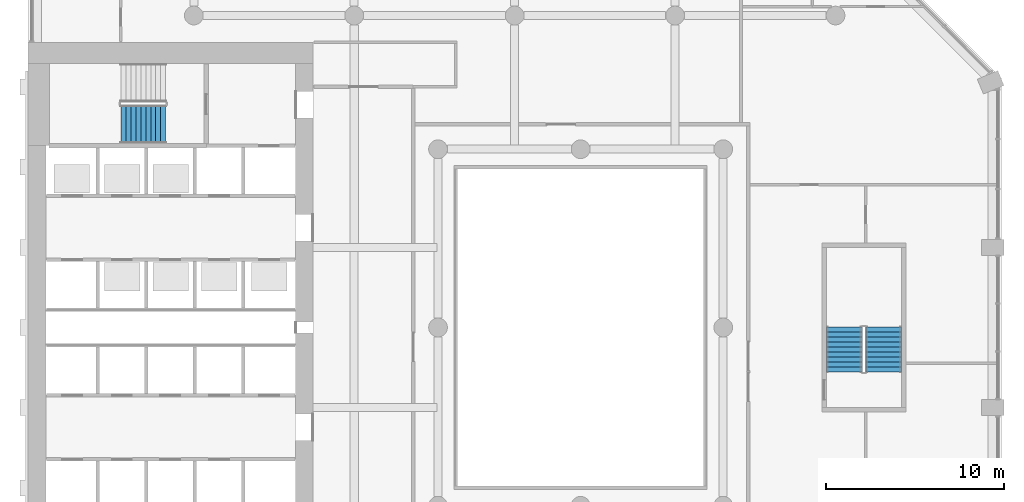
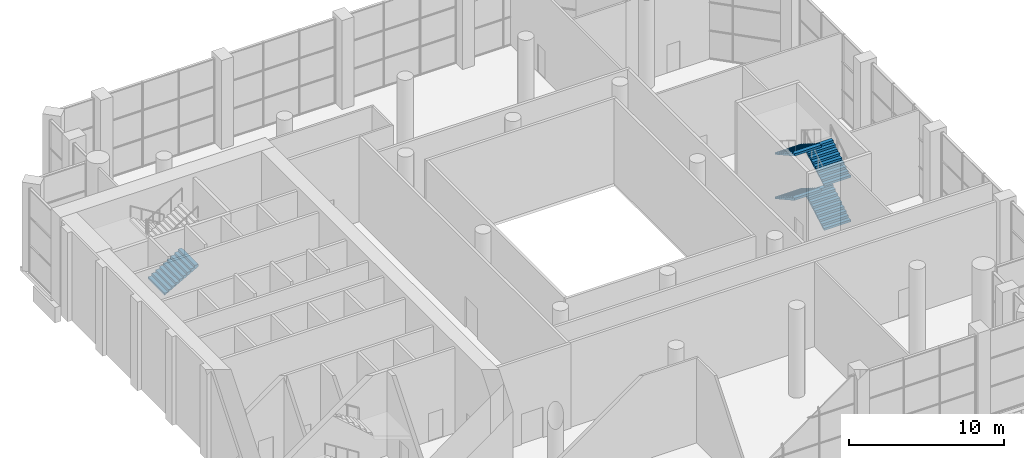
# One storey, part 16 of 22: 5 stair flights, 2 elements without a shape of their own.
"""IFC4 building model written with IfcOpenShell, lengths in metres."""

from ifc_helpers import new_model, si_unit, direction, frame, origin, place, context, subcontext, project, spatial, triangles, material, type_object, element, aggregate, save


model = new_model("IFC4")

# Units and contexts
model_context = context("Model", 3, precision=1e-05, world=origin(), true_north=direction((0.0, 1.0)))
body_context = subcontext(model_context, "Body", "Model", "MODEL_VIEW")
ifc_project = project(units=[si_unit("LENGTHUNIT", "METRE"), si_unit("AREAUNIT", "SQUARE_METRE"), si_unit("VOLUMEUNIT", "CUBIC_METRE"), si_unit("PLANEANGLEUNIT", "RADIAN"), si_unit("MASSUNIT", "GRAM", prefix="KILO")], contexts=[model_context])

# Site, building, storey
site_placement = place(None, origin())
site = spatial("IfcSite", under=ifc_project, at=site_placement, CompositionType="ELEMENT")
building_placement = place(site_placement, origin())
building = spatial("IfcBuilding", under=site, at=building_placement, Name="Cypress Arch Tower", CompositionType="ELEMENT")
storey_placement = place(building_placement, frame((0.0, 0.0, 145.5)))
storey = spatial("IfcBuildingStorey", under=building, at=storey_placement, Name="L32", CompositionType="ELEMENT", Elevation=145.5)

# Stair, stair flights
ifc_material_1 = material(Name="Concrete C40/50", Category="concrete")
stair_type_1 = type_object("IfcStairType", Name="Exit stair ES1750-200", PredefinedType="HALF_TURN_STAIR", material=ifc_material_1)
stair_1_placement = place(storey_placement, origin())
stair_1 = element("IfcStair", 1, at=stair_1_placement, inside=storey, type_object=stair_type_1, Name="L32 Exit stair C", PredefinedType="HALF_TURN_STAIR")
ifc_material_2 = material(Name="Concrete C40/50", Category="concrete")
stair_flight_type_1 = type_object("IfcStairFlightType", Name="Exit stair flight ES1750-200", PredefinedType="STRAIGHT", material=ifc_material_2)
stair_flight_1_placement = place(storey_placement, frame((18.0, -2.5, 0.0), z_axis=(0.0, 0.0, 1.0), x_axis=(0.0, 1.0, 0.0)))
stair_flight_1 = element("IfcStairFlight", 2, at=stair_flight_1_placement, type_object=stair_flight_type_1, Name="C flight 1", NumberOfRisers=10, NumberOfTreads=9, PredefinedType="STRAIGHT", RiserHeight=0.175, TreadLength=0.28, context=body_context, shape_type="Tessellation", body=[
    triangles([(0.0, -1.0, 0.0), (0.000244140625, -1.0, 0.034912109375), (0.00048828125, -1.0, 0.070068359375), (0.00048828125, -1.0, 0.10498046875), (0.000244140625, -1.0, 0.14013671875), (0.0, -1.0, 0.175048828125), (0.280029296875, -1.0, 0.175048828125), (0.280029296875, -1.0, 0.35009765625), (0.56005859375, -1.0, 0.35009765625), (0.56005859375, -1.0, 0.52490234375), (0.840087890625, -1.0, 0.52490234375), (0.840087890625, -1.0, 0.699951171875), (1.1201171875, -1.0, 0.699951171875), (1.1201171875, -1.0, 0.875), (1.39990234375, -1.0, 0.875), (1.39990234375, -1.0, 1.050048828125), (1.679931640625, -1.0, 1.050048828125), (1.679931640625, -1.0, 1.22509765625), (1.9599609375, -1.0, 1.22509765625), (1.9599609375, -1.0, 1.39990234375), (2.239990234375, -1.0, 1.39990234375), (2.239990234375, -1.0, 1.574951171875), (2.52001953125, -1.0, 1.574951171875), (2.519775390625, -1.0, 1.53955078125), (2.51953125, -1.0, 1.504150390625), (2.51953125, -1.0, 1.468994140625), (2.519775390625, -1.0, 1.43359375), (2.52001953125, -1.0, 1.398193359375), (2.52001953125, 1.0, 1.398193359375), (2.519775390625, 1.0, 1.43359375), (2.51953125, 1.0, 1.468994140625), (2.51953125, 1.0, 1.504150390625), (2.519775390625, 1.0, 1.53955078125), (2.52001953125, 1.0, 1.574951171875), (2.239990234375, 1.0, 1.574951171875), (2.239990234375, 1.0, 1.39990234375), (1.9599609375, 1.0, 1.39990234375), (1.9599609375, 1.0, 1.22509765625), (1.679931640625, 1.0, 1.22509765625), (1.679931640625, 1.0, 1.050048828125), (1.39990234375, 1.0, 1.050048828125), (1.39990234375, 1.0, 0.875), (1.1201171875, 1.0, 0.875), (1.1201171875, 1.0, 0.699951171875), (0.840087890625, 1.0, 0.699951171875), (0.840087890625, 1.0, 0.52490234375), (0.56005859375, 1.0, 0.52490234375), (0.56005859375, 1.0, 0.35009765625), (0.280029296875, 1.0, 0.35009765625), (0.280029296875, 1.0, 0.175048828125), (0.0, 1.0, 0.175048828125), (0.000244140625, 1.0, 0.14013671875), (0.00048828125, 1.0, 0.10498046875), (0.00048828125, 1.0, 0.070068359375), (0.000244140625, 1.0, 0.034912109375), (0.0, 1.0, 0.0), (2.519775390625, 0.0, 1.43359375), (2.52001953125, 0.0, 1.398193359375), (2.51953125, 0.0, 1.468994140625), (2.51953125, 0.0, 1.504150390625), (2.519775390625, 0.0, 1.53955078125), (2.52001953125, 0.0, 1.574951171875), (2.239990234375, 0.0, 1.574951171875), (2.239990234375, 0.0, 1.39990234375), (1.9599609375, 0.0, 1.39990234375), (1.9599609375, 0.0, 1.22509765625), (1.679931640625, 0.0, 1.22509765625), (1.679931640625, 0.0, 1.050048828125), (1.39990234375, 0.0, 1.050048828125), (1.39990234375, 0.0, 0.875), (1.1201171875, 0.0, 0.875), (1.1201171875, 0.0, 0.699951171875), (0.840087890625, 0.0, 0.699951171875), (0.840087890625, 0.0, 0.52490234375), (0.56005859375, 0.0, 0.52490234375), (0.56005859375, 0.0, 0.35009765625), (0.280029296875, 0.0, 0.35009765625), (0.280029296875, 0.0, 0.175048828125), (0.0, 0.0, 0.175048828125), (0.000244140625, 0.0, 0.14013671875), (0.00048828125, 0.0, 0.10498046875), (0.00048828125, 0.0, 0.070068359375), (0.000244140625, 0.0, 0.034912109375), (0.0, 0.0, 0.0)], [[28, 27, 22], [27, 26, 22], [26, 25, 22], [25, 24, 22], [24, 23, 22], [15, 14, 13], [19, 18, 17], [17, 16, 15], [13, 12, 11], [9, 8, 7], [6, 5, 7], [5, 4, 7], [4, 3, 7], [3, 2, 7], [2, 1, 7], [21, 20, 19], [11, 10, 9], [28, 22, 21], [28, 21, 19], [28, 19, 17], [28, 17, 15], [28, 15, 13], [28, 13, 11], [1, 28, 11], [11, 9, 7], [11, 7, 1], [29, 35, 30], [30, 35, 31], [31, 35, 32], [32, 35, 33], [33, 35, 34], [42, 44, 43], [38, 40, 39], [40, 42, 41], [44, 46, 45], [48, 50, 49], [51, 50, 52], [52, 50, 53], [53, 50, 54], [54, 50, 55], [55, 50, 56], [36, 38, 37], [46, 48, 47], [29, 36, 35], [29, 38, 36], [29, 40, 38], [29, 42, 40], [29, 44, 42], [29, 46, 44], [56, 46, 29], [46, 50, 48], [46, 56, 50], [58, 57, 27], [58, 27, 28], [29, 30, 57], [29, 57, 58], [57, 59, 26], [57, 26, 27], [30, 31, 59], [30, 59, 57], [59, 60, 25], [59, 25, 26], [31, 32, 60], [31, 60, 59], [60, 61, 24], [60, 24, 25], [32, 33, 61], [32, 61, 60], [61, 62, 23], [61, 23, 24], [33, 34, 62], [33, 62, 61], [62, 63, 22], [62, 22, 23], [34, 35, 63], [34, 63, 62], [63, 64, 21], [63, 21, 22], [35, 36, 64], [35, 64, 63], [64, 65, 20], [64, 20, 21], [36, 37, 65], [36, 65, 64], [65, 66, 19], [65, 19, 20], [37, 38, 66], [37, 66, 65], [66, 67, 18], [66, 18, 19], [38, 39, 67], [38, 67, 66], [67, 68, 17], [67, 17, 18], [39, 40, 68], [39, 68, 67], [68, 69, 16], [68, 16, 17], [40, 41, 69], [40, 69, 68], [69, 70, 15], [69, 15, 16], [41, 42, 70], [41, 70, 69], [70, 71, 14], [70, 14, 15], [42, 43, 71], [42, 71, 70], [71, 72, 13], [71, 13, 14], [43, 44, 72], [43, 72, 71], [72, 73, 12], [72, 12, 13], [44, 45, 73], [44, 73, 72], [73, 74, 11], [73, 11, 12], [45, 46, 74], [45, 74, 73], [74, 75, 10], [74, 10, 11], [46, 47, 75], [46, 75, 74], [75, 76, 9], [75, 9, 10], [47, 48, 76], [47, 76, 75], [76, 77, 8], [76, 8, 9], [48, 49, 77], [48, 77, 76], [77, 78, 7], [77, 7, 8], [49, 50, 78], [49, 78, 77], [78, 79, 6], [78, 6, 7], [50, 51, 79], [50, 79, 78], [79, 80, 5], [79, 5, 6], [51, 52, 80], [51, 80, 79], [80, 81, 4], [80, 4, 5], [52, 53, 81], [52, 81, 80], [81, 82, 3], [81, 3, 4], [53, 54, 82], [53, 82, 81], [82, 83, 2], [82, 2, 3], [54, 55, 83], [54, 83, 82], [83, 84, 1], [83, 1, 2], [55, 56, 84], [55, 84, 83], [84, 58, 28], [84, 28, 1], [56, 29, 58], [56, 58, 84]], closed=True),
])
stair_flight_2_placement = place(storey_placement, frame((15.800048828125, 0.02001953125, 1.75), z_axis=(0.0, 0.0, 1.0), x_axis=(0.0, -1.0, 0.0)))
stair_flight_2 = element("IfcStairFlight", 3, at=stair_flight_2_placement, type_object=stair_flight_type_1, Name="C flight 2", NumberOfRisers=10, NumberOfTreads=9, PredefinedType="STRAIGHT", RiserHeight=0.175, TreadLength=0.28, context=body_context, shape_type="Tessellation", body=[
    triangles([(0.0, -1.0, 0.0), (0.000244140625, -1.0, 0.034912109375), (0.00048828125, -1.0, 0.070068359375), (0.00048828125, -1.0, 0.10498046875), (0.000244140625, -1.0, 0.14013671875), (0.0, -1.0, 0.175048828125), (0.280029296875, -1.0, 0.175048828125), (0.280029296875, -1.0, 0.35009765625), (0.56005859375, -1.0, 0.35009765625), (0.56005859375, -1.0, 0.52490234375), (0.840087890625, -1.0, 0.52490234375), (0.840087890625, -1.0, 0.699951171875), (1.1201171875, -1.0, 0.699951171875), (1.1201171875, -1.0, 0.875), (1.39990234375, -1.0, 0.875), (1.39990234375, -1.0, 1.050048828125), (1.679931640625, -1.0, 1.050048828125), (1.679931640625, -1.0, 1.22509765625), (1.9599609375, -1.0, 1.22509765625), (1.9599609375, -1.0, 1.39990234375), (2.239990234375, -1.0, 1.39990234375), (2.239990234375, -1.0, 1.574951171875), (2.52001953125, -1.0, 1.574951171875), (2.519775390625, -1.0, 1.53955078125), (2.51953125, -1.0, 1.504150390625), (2.51953125, -1.0, 1.468994140625), (2.519775390625, -1.0, 1.43359375), (2.52001953125, -1.0, 1.398193359375), (2.52001953125, 1.0, 1.398193359375), (2.519775390625, 1.0, 1.43359375), (2.51953125, 1.0, 1.468994140625), (2.51953125, 1.0, 1.504150390625), (2.519775390625, 1.0, 1.53955078125), (2.52001953125, 1.0, 1.574951171875), (2.239990234375, 1.0, 1.574951171875), (2.239990234375, 1.0, 1.39990234375), (1.9599609375, 1.0, 1.39990234375), (1.9599609375, 1.0, 1.22509765625), (1.679931640625, 1.0, 1.22509765625), (1.679931640625, 1.0, 1.050048828125), (1.39990234375, 1.0, 1.050048828125), (1.39990234375, 1.0, 0.875), (1.1201171875, 1.0, 0.875), (1.1201171875, 1.0, 0.699951171875), (0.840087890625, 1.0, 0.699951171875), (0.840087890625, 1.0, 0.52490234375), (0.56005859375, 1.0, 0.52490234375), (0.56005859375, 1.0, 0.35009765625), (0.280029296875, 1.0, 0.35009765625), (0.280029296875, 1.0, 0.175048828125), (0.0, 1.0, 0.175048828125), (0.000244140625, 1.0, 0.14013671875), (0.00048828125, 1.0, 0.10498046875), (0.00048828125, 1.0, 0.070068359375), (0.000244140625, 1.0, 0.034912109375), (0.0, 1.0, 0.0), (2.519775390625, 0.0, 1.43359375), (2.52001953125, 0.0, 1.398193359375), (2.51953125, 0.0, 1.468994140625), (2.51953125, 0.0, 1.504150390625), (2.519775390625, 0.0, 1.53955078125), (2.52001953125, 0.0, 1.574951171875), (2.239990234375, 0.0, 1.574951171875), (2.239990234375, 0.0, 1.39990234375), (1.9599609375, 0.0, 1.39990234375), (1.9599609375, 0.0, 1.22509765625), (1.679931640625, 0.0, 1.22509765625), (1.679931640625, 0.0, 1.050048828125), (1.39990234375, 0.0, 1.050048828125), (1.39990234375, 0.0, 0.875), (1.1201171875, 0.0, 0.875), (1.1201171875, 0.0, 0.699951171875), (0.840087890625, 0.0, 0.699951171875), (0.840087890625, 0.0, 0.52490234375), (0.56005859375, 0.0, 0.52490234375), (0.56005859375, 0.0, 0.35009765625), (0.280029296875, 0.0, 0.35009765625), (0.280029296875, 0.0, 0.175048828125), (0.0, 0.0, 0.175048828125), (0.000244140625, 0.0, 0.14013671875), (0.00048828125, 0.0, 0.10498046875), (0.00048828125, 0.0, 0.070068359375), (0.000244140625, 0.0, 0.034912109375), (0.0, 0.0, 0.0)], [[28, 27, 22], [27, 26, 22], [26, 25, 22], [25, 24, 22], [24, 23, 22], [15, 14, 13], [19, 18, 17], [17, 16, 15], [13, 12, 11], [9, 8, 7], [6, 5, 7], [5, 4, 7], [4, 3, 7], [3, 2, 7], [2, 1, 7], [21, 20, 19], [11, 10, 9], [28, 22, 21], [28, 21, 19], [28, 19, 17], [28, 17, 15], [28, 15, 13], [28, 13, 11], [1, 28, 11], [11, 9, 7], [11, 7, 1], [29, 35, 30], [30, 35, 31], [31, 35, 32], [32, 35, 33], [33, 35, 34], [42, 44, 43], [38, 40, 39], [40, 42, 41], [44, 46, 45], [48, 50, 49], [51, 50, 52], [52, 50, 53], [53, 50, 54], [54, 50, 55], [55, 50, 56], [36, 38, 37], [46, 48, 47], [29, 36, 35], [29, 38, 36], [29, 40, 38], [29, 42, 40], [29, 44, 42], [29, 46, 44], [56, 46, 29], [46, 50, 48], [46, 56, 50], [58, 57, 27], [58, 27, 28], [29, 30, 57], [29, 57, 58], [57, 59, 26], [57, 26, 27], [30, 31, 59], [30, 59, 57], [59, 60, 25], [59, 25, 26], [31, 32, 60], [31, 60, 59], [60, 61, 24], [60, 24, 25], [32, 33, 61], [32, 61, 60], [61, 62, 23], [61, 23, 24], [33, 34, 62], [33, 62, 61], [62, 63, 22], [62, 22, 23], [34, 35, 63], [34, 63, 62], [63, 64, 21], [63, 21, 22], [35, 36, 64], [35, 64, 63], [64, 65, 20], [64, 20, 21], [36, 37, 65], [36, 65, 64], [65, 66, 19], [65, 19, 20], [37, 38, 66], [37, 66, 65], [66, 67, 18], [66, 18, 19], [38, 39, 67], [38, 67, 66], [67, 68, 17], [67, 17, 18], [39, 40, 68], [39, 68, 67], [68, 69, 16], [68, 16, 17], [40, 41, 69], [40, 69, 68], [69, 70, 15], [69, 15, 16], [41, 42, 70], [41, 70, 69], [70, 71, 14], [70, 14, 15], [42, 43, 71], [42, 71, 70], [71, 72, 13], [71, 13, 14], [43, 44, 72], [43, 72, 71], [72, 73, 12], [72, 12, 13], [44, 45, 73], [44, 73, 72], [73, 74, 11], [73, 11, 12], [45, 46, 74], [45, 74, 73], [74, 75, 10], [74, 10, 11], [46, 47, 75], [46, 75, 74], [75, 76, 9], [75, 9, 10], [47, 48, 76], [47, 76, 75], [76, 77, 8], [76, 8, 9], [48, 49, 77], [48, 77, 76], [77, 78, 7], [77, 7, 8], [49, 50, 78], [49, 78, 77], [78, 79, 6], [78, 6, 7], [50, 51, 79], [50, 79, 78], [79, 80, 5], [79, 5, 6], [51, 52, 80], [51, 80, 79], [80, 81, 4], [80, 4, 5], [52, 53, 81], [52, 81, 80], [81, 82, 3], [81, 3, 4], [53, 54, 82], [53, 82, 81], [82, 83, 2], [82, 2, 3], [54, 55, 83], [54, 83, 82], [83, 84, 1], [83, 1, 2], [55, 56, 84], [55, 84, 83], [84, 58, 28], [84, 28, 1], [56, 29, 58], [56, 58, 84]], closed=True),
])
stair_flight_3_placement = place(storey_placement, frame((18.0, -2.5, 3.5), z_axis=(0.0, 0.0, 1.0), x_axis=(0.0, 1.0, 0.0)))
stair_flight_3 = element("IfcStairFlight", 4, at=stair_flight_3_placement, type_object=stair_flight_type_1, Name="C flight 3", NumberOfRisers=10, NumberOfTreads=9, PredefinedType="STRAIGHT", RiserHeight=0.175, TreadLength=0.28, context=body_context, shape_type="Tessellation", body=[
    triangles([(0.0, -1.0, 0.0), (0.000244140625, -1.0, 0.034912109375), (0.00048828125, -1.0, 0.070068359375), (0.00048828125, -1.0, 0.10498046875), (0.000244140625, -1.0, 0.14013671875), (0.0, -1.0, 0.175048828125), (0.280029296875, -1.0, 0.175048828125), (0.280029296875, -1.0, 0.35009765625), (0.56005859375, -1.0, 0.35009765625), (0.56005859375, -1.0, 0.52490234375), (0.840087890625, -1.0, 0.52490234375), (0.840087890625, -1.0, 0.699951171875), (1.1201171875, -1.0, 0.699951171875), (1.1201171875, -1.0, 0.875), (1.39990234375, -1.0, 0.875), (1.39990234375, -1.0, 1.050048828125), (1.679931640625, -1.0, 1.050048828125), (1.679931640625, -1.0, 1.22509765625), (1.9599609375, -1.0, 1.22509765625), (1.9599609375, -1.0, 1.39990234375), (2.239990234375, -1.0, 1.39990234375), (2.239990234375, -1.0, 1.574951171875), (2.52001953125, -1.0, 1.574951171875), (2.519775390625, -1.0, 1.53955078125), (2.51953125, -1.0, 1.504150390625), (2.51953125, -1.0, 1.468994140625), (2.519775390625, -1.0, 1.43359375), (2.52001953125, -1.0, 1.398193359375), (2.52001953125, 1.0, 1.398193359375), (2.519775390625, 1.0, 1.43359375), (2.51953125, 1.0, 1.468994140625), (2.51953125, 1.0, 1.504150390625), (2.519775390625, 1.0, 1.53955078125), (2.52001953125, 1.0, 1.574951171875), (2.239990234375, 1.0, 1.574951171875), (2.239990234375, 1.0, 1.39990234375), (1.9599609375, 1.0, 1.39990234375), (1.9599609375, 1.0, 1.22509765625), (1.679931640625, 1.0, 1.22509765625), (1.679931640625, 1.0, 1.050048828125), (1.39990234375, 1.0, 1.050048828125), (1.39990234375, 1.0, 0.875), (1.1201171875, 1.0, 0.875), (1.1201171875, 1.0, 0.699951171875), (0.840087890625, 1.0, 0.699951171875), (0.840087890625, 1.0, 0.52490234375), (0.56005859375, 1.0, 0.52490234375), (0.56005859375, 1.0, 0.35009765625), (0.280029296875, 1.0, 0.35009765625), (0.280029296875, 1.0, 0.175048828125), (0.0, 1.0, 0.175048828125), (0.000244140625, 1.0, 0.14013671875), (0.00048828125, 1.0, 0.10498046875), (0.00048828125, 1.0, 0.070068359375), (0.000244140625, 1.0, 0.034912109375), (0.0, 1.0, 0.0), (2.519775390625, 0.0, 1.43359375), (2.52001953125, 0.0, 1.398193359375), (2.51953125, 0.0, 1.468994140625), (2.51953125, 0.0, 1.504150390625), (2.519775390625, 0.0, 1.53955078125), (2.52001953125, 0.0, 1.574951171875), (2.239990234375, 0.0, 1.574951171875), (2.239990234375, 0.0, 1.39990234375), (1.9599609375, 0.0, 1.39990234375), (1.9599609375, 0.0, 1.22509765625), (1.679931640625, 0.0, 1.22509765625), (1.679931640625, 0.0, 1.050048828125), (1.39990234375, 0.0, 1.050048828125), (1.39990234375, 0.0, 0.875), (1.1201171875, 0.0, 0.875), (1.1201171875, 0.0, 0.699951171875), (0.840087890625, 0.0, 0.699951171875), (0.840087890625, 0.0, 0.52490234375), (0.56005859375, 0.0, 0.52490234375), (0.56005859375, 0.0, 0.35009765625), (0.280029296875, 0.0, 0.35009765625), (0.280029296875, 0.0, 0.175048828125), (0.0, 0.0, 0.175048828125), (0.000244140625, 0.0, 0.14013671875), (0.00048828125, 0.0, 0.10498046875), (0.00048828125, 0.0, 0.070068359375), (0.000244140625, 0.0, 0.034912109375), (0.0, 0.0, 0.0)], [[28, 27, 22], [27, 26, 22], [26, 25, 22], [25, 24, 22], [24, 23, 22], [15, 14, 13], [19, 18, 17], [17, 16, 15], [13, 12, 11], [9, 8, 7], [6, 5, 7], [5, 4, 7], [4, 3, 7], [3, 2, 7], [2, 1, 7], [21, 20, 19], [11, 10, 9], [28, 22, 21], [28, 21, 19], [28, 19, 17], [28, 17, 15], [28, 15, 13], [28, 13, 11], [1, 28, 11], [11, 9, 7], [11, 7, 1], [29, 35, 30], [30, 35, 31], [31, 35, 32], [32, 35, 33], [33, 35, 34], [42, 44, 43], [38, 40, 39], [40, 42, 41], [44, 46, 45], [48, 50, 49], [51, 50, 52], [52, 50, 53], [53, 50, 54], [54, 50, 55], [55, 50, 56], [36, 38, 37], [46, 48, 47], [29, 36, 35], [29, 38, 36], [29, 40, 38], [29, 42, 40], [29, 44, 42], [29, 46, 44], [56, 46, 29], [46, 50, 48], [46, 56, 50], [58, 57, 27], [58, 27, 28], [29, 30, 57], [29, 57, 58], [57, 59, 26], [57, 26, 27], [30, 31, 59], [30, 59, 57], [59, 60, 25], [59, 25, 26], [31, 32, 60], [31, 60, 59], [60, 61, 24], [60, 24, 25], [32, 33, 61], [32, 61, 60], [61, 62, 23], [61, 23, 24], [33, 34, 62], [33, 62, 61], [62, 63, 22], [62, 22, 23], [34, 35, 63], [34, 63, 62], [63, 64, 21], [63, 21, 22], [35, 36, 64], [35, 64, 63], [64, 65, 20], [64, 20, 21], [36, 37, 65], [36, 65, 64], [65, 66, 19], [65, 19, 20], [37, 38, 66], [37, 66, 65], [66, 67, 18], [66, 18, 19], [38, 39, 67], [38, 67, 66], [67, 68, 17], [67, 17, 18], [39, 40, 68], [39, 68, 67], [68, 69, 16], [68, 16, 17], [40, 41, 69], [40, 69, 68], [69, 70, 15], [69, 15, 16], [41, 42, 70], [41, 70, 69], [70, 71, 14], [70, 14, 15], [42, 43, 71], [42, 71, 70], [71, 72, 13], [71, 13, 14], [43, 44, 72], [43, 72, 71], [72, 73, 12], [72, 12, 13], [44, 45, 73], [44, 73, 72], [73, 74, 11], [73, 11, 12], [45, 46, 74], [45, 74, 73], [74, 75, 10], [74, 10, 11], [46, 47, 75], [46, 75, 74], [75, 76, 9], [75, 9, 10], [47, 48, 76], [47, 76, 75], [76, 77, 8], [76, 8, 9], [48, 49, 77], [48, 77, 76], [77, 78, 7], [77, 7, 8], [49, 50, 78], [49, 78, 77], [78, 79, 6], [78, 6, 7], [50, 51, 79], [50, 79, 78], [79, 80, 5], [79, 5, 6], [51, 52, 80], [51, 80, 79], [80, 81, 4], [80, 4, 5], [52, 53, 81], [52, 81, 80], [81, 82, 3], [81, 3, 4], [53, 54, 82], [53, 82, 81], [82, 83, 2], [82, 2, 3], [54, 55, 83], [54, 83, 82], [83, 84, 1], [83, 1, 2], [55, 56, 84], [55, 84, 83], [84, 58, 28], [84, 28, 1], [56, 29, 58], [56, 58, 84]], closed=True),
])
stair_flight_4_placement = place(storey_placement, frame((15.800048828125, 0.02001953125, 5.25), z_axis=(0.0, 0.0, 1.0), x_axis=(0.0, -1.0, 0.0)))
stair_flight_4 = element("IfcStairFlight", 5, at=stair_flight_4_placement, type_object=stair_flight_type_1, Name="C flight 4", NumberOfRisers=10, NumberOfTreads=9, PredefinedType="STRAIGHT", RiserHeight=0.175, TreadLength=0.28, context=body_context, shape_type="Tessellation", body=[
    triangles([(0.0, -1.0, 0.0), (0.000244140625, -1.0, 0.034912109375), (0.00048828125, -1.0, 0.070068359375), (0.00048828125, -1.0, 0.10498046875), (0.000244140625, -1.0, 0.14013671875), (0.0, -1.0, 0.175048828125), (0.280029296875, -1.0, 0.175048828125), (0.280029296875, -1.0, 0.35009765625), (0.56005859375, -1.0, 0.35009765625), (0.56005859375, -1.0, 0.52490234375), (0.840087890625, -1.0, 0.52490234375), (0.840087890625, -1.0, 0.699951171875), (1.1201171875, -1.0, 0.699951171875), (1.1201171875, -1.0, 0.875), (1.39990234375, -1.0, 0.875), (1.39990234375, -1.0, 1.050048828125), (1.679931640625, -1.0, 1.050048828125), (1.679931640625, -1.0, 1.22509765625), (1.9599609375, -1.0, 1.22509765625), (1.9599609375, -1.0, 1.39990234375), (2.239990234375, -1.0, 1.39990234375), (2.239990234375, -1.0, 1.574951171875), (2.52001953125, -1.0, 1.574951171875), (2.519775390625, -1.0, 1.53955078125), (2.51953125, -1.0, 1.504150390625), (2.51953125, -1.0, 1.468994140625), (2.519775390625, -1.0, 1.43359375), (2.52001953125, -1.0, 1.398193359375), (2.52001953125, 1.0, 1.398193359375), (2.519775390625, 1.0, 1.43359375), (2.51953125, 1.0, 1.468994140625), (2.51953125, 1.0, 1.504150390625), (2.519775390625, 1.0, 1.53955078125), (2.52001953125, 1.0, 1.574951171875), (2.239990234375, 1.0, 1.574951171875), (2.239990234375, 1.0, 1.39990234375), (1.9599609375, 1.0, 1.39990234375), (1.9599609375, 1.0, 1.22509765625), (1.679931640625, 1.0, 1.22509765625), (1.679931640625, 1.0, 1.050048828125), (1.39990234375, 1.0, 1.050048828125), (1.39990234375, 1.0, 0.875), (1.1201171875, 1.0, 0.875), (1.1201171875, 1.0, 0.699951171875), (0.840087890625, 1.0, 0.699951171875), (0.840087890625, 1.0, 0.52490234375), (0.56005859375, 1.0, 0.52490234375), (0.56005859375, 1.0, 0.35009765625), (0.280029296875, 1.0, 0.35009765625), (0.280029296875, 1.0, 0.175048828125), (0.0, 1.0, 0.175048828125), (0.000244140625, 1.0, 0.14013671875), (0.00048828125, 1.0, 0.10498046875), (0.00048828125, 1.0, 0.070068359375), (0.000244140625, 1.0, 0.034912109375), (0.0, 1.0, 0.0), (2.519775390625, 0.0, 1.43359375), (2.52001953125, 0.0, 1.398193359375), (2.51953125, 0.0, 1.468994140625), (2.51953125, 0.0, 1.504150390625), (2.519775390625, 0.0, 1.53955078125), (2.52001953125, 0.0, 1.574951171875), (2.239990234375, 0.0, 1.574951171875), (2.239990234375, 0.0, 1.39990234375), (1.9599609375, 0.0, 1.39990234375), (1.9599609375, 0.0, 1.22509765625), (1.679931640625, 0.0, 1.22509765625), (1.679931640625, 0.0, 1.050048828125), (1.39990234375, 0.0, 1.050048828125), (1.39990234375, 0.0, 0.875), (1.1201171875, 0.0, 0.875), (1.1201171875, 0.0, 0.699951171875), (0.840087890625, 0.0, 0.699951171875), (0.840087890625, 0.0, 0.52490234375), (0.56005859375, 0.0, 0.52490234375), (0.56005859375, 0.0, 0.35009765625), (0.280029296875, 0.0, 0.35009765625), (0.280029296875, 0.0, 0.175048828125), (0.0, 0.0, 0.175048828125), (0.000244140625, 0.0, 0.14013671875), (0.00048828125, 0.0, 0.10498046875), (0.00048828125, 0.0, 0.070068359375), (0.000244140625, 0.0, 0.034912109375), (0.0, 0.0, 0.0)], [[28, 27, 22], [27, 26, 22], [26, 25, 22], [25, 24, 22], [24, 23, 22], [15, 14, 13], [19, 18, 17], [17, 16, 15], [13, 12, 11], [9, 8, 7], [6, 5, 7], [5, 4, 7], [4, 3, 7], [3, 2, 7], [2, 1, 7], [21, 20, 19], [11, 10, 9], [28, 22, 21], [28, 21, 19], [28, 19, 17], [28, 17, 15], [28, 15, 13], [28, 13, 11], [1, 28, 11], [11, 9, 7], [11, 7, 1], [29, 35, 30], [30, 35, 31], [31, 35, 32], [32, 35, 33], [33, 35, 34], [42, 44, 43], [38, 40, 39], [40, 42, 41], [44, 46, 45], [48, 50, 49], [51, 50, 52], [52, 50, 53], [53, 50, 54], [54, 50, 55], [55, 50, 56], [36, 38, 37], [46, 48, 47], [29, 36, 35], [29, 38, 36], [29, 40, 38], [29, 42, 40], [29, 44, 42], [29, 46, 44], [56, 46, 29], [46, 50, 48], [46, 56, 50], [58, 57, 27], [58, 27, 28], [29, 30, 57], [29, 57, 58], [57, 59, 26], [57, 26, 27], [30, 31, 59], [30, 59, 57], [59, 60, 25], [59, 25, 26], [31, 32, 60], [31, 60, 59], [60, 61, 24], [60, 24, 25], [32, 33, 61], [32, 61, 60], [61, 62, 23], [61, 23, 24], [33, 34, 62], [33, 62, 61], [62, 63, 22], [62, 22, 23], [34, 35, 63], [34, 63, 62], [63, 64, 21], [63, 21, 22], [35, 36, 64], [35, 64, 63], [64, 65, 20], [64, 20, 21], [36, 37, 65], [36, 65, 64], [65, 66, 19], [65, 19, 20], [37, 38, 66], [37, 66, 65], [66, 67, 18], [66, 18, 19], [38, 39, 67], [38, 67, 66], [67, 68, 17], [67, 17, 18], [39, 40, 68], [39, 68, 67], [68, 69, 16], [68, 16, 17], [40, 41, 69], [40, 69, 68], [69, 70, 15], [69, 15, 16], [41, 42, 70], [41, 70, 69], [70, 71, 14], [70, 14, 15], [42, 43, 71], [42, 71, 70], [71, 72, 13], [71, 13, 14], [43, 44, 72], [43, 72, 71], [72, 73, 12], [72, 12, 13], [44, 45, 73], [44, 73, 72], [73, 74, 11], [73, 11, 12], [45, 46, 74], [45, 74, 73], [74, 75, 10], [74, 10, 11], [46, 47, 75], [46, 75, 74], [75, 76, 9], [75, 9, 10], [47, 48, 76], [47, 76, 75], [76, 77, 8], [76, 8, 9], [48, 49, 77], [48, 77, 76], [77, 78, 7], [77, 7, 8], [49, 50, 78], [49, 78, 77], [78, 79, 6], [78, 6, 7], [50, 51, 79], [50, 79, 78], [79, 80, 5], [79, 5, 6], [51, 52, 80], [51, 80, 79], [80, 81, 4], [80, 4, 5], [52, 53, 81], [52, 81, 80], [81, 82, 3], [81, 3, 4], [53, 54, 82], [53, 82, 81], [82, 83, 2], [82, 2, 3], [54, 55, 83], [54, 83, 82], [83, 84, 1], [83, 1, 2], [55, 56, 84], [55, 84, 83], [84, 58, 28], [84, 28, 1], [56, 29, 58], [56, 58, 84]], closed=True),
])
aggregate(stair_1, [stair_flight_1, stair_flight_2, stair_flight_3, stair_flight_4])

# Stair, stair flight
ifc_material_3 = material(Name="Concrete C40/50", Category="concrete")
stair_type_2 = type_object("IfcStairType", Name="Exit stair ES1750-215", PredefinedType="HALF_TURN_STAIR", material=ifc_material_3)
stair_2_placement = place(storey_placement, origin())
stair_2 = element("IfcStair", 6, at=stair_2_placement, inside=storey, type_object=stair_type_2, Name="L32 Exit stair B", PredefinedType="HALF_TURN_STAIR")
ifc_material_4 = material(Name="Concrete C40/50", Category="concrete")
stair_flight_type_2 = type_object("IfcStairFlightType", Name="Exit stair flight ES1750-215", PredefinedType="STRAIGHT", material=ifc_material_4)
stair_flight_5_placement = place(storey_placement, frame((-24.794921875, 11.39990234375, 1.75), z_axis=(0.0, 0.0, 1.0), x_axis=(1.0, 0.0, 0.0)))
stair_flight_5 = element("IfcStairFlight", 7, at=stair_flight_5_placement, type_object=stair_flight_type_2, Name="B flight 2", NumberOfRisers=10, NumberOfTreads=9, PredefinedType="STRAIGHT", RiserHeight=0.175, TreadLength=0.28, context=body_context, shape_type="Tessellation", body=[
    triangles([(0.0, -1.074951171875, 0.0), (0.000244140625, -1.074951171875, 0.01953125), (0.000244140625, -1.074951171875, 0.038818359375), (0.00048828125, -1.074951171875, 0.058349609375), (0.00048828125, -1.074951171875, 0.077880859375), (0.00048828125, -1.074951171875, 0.09716796875), (0.00048828125, -1.074951171875, 0.11669921875), (0.000244140625, -1.074951171875, 0.13623046875), (0.000244140625, -1.074951171875, 0.155517578125), (0.0, -1.074951171875, 0.175048828125), (0.280029296875, -1.074951171875, 0.175048828125), (0.280029296875, -1.074951171875, 0.35009765625), (0.56005859375, -1.074951171875, 0.35009765625), (0.56005859375, -1.074951171875, 0.52490234375), (0.840087890625, -1.074951171875, 0.52490234375), (0.840087890625, -1.074951171875, 0.699951171875), (1.1201171875, -1.074951171875, 0.699951171875), (1.1201171875, -1.074951171875, 0.875), (1.39990234375, -1.074951171875, 0.875), (1.39990234375, -1.074951171875, 1.050048828125), (1.679931640625, -1.074951171875, 1.050048828125), (1.679931640625, -1.074951171875, 1.22509765625), (1.9599609375, -1.074951171875, 1.22509765625), (1.9599609375, -1.074951171875, 1.39990234375), (2.239990234375, -1.074951171875, 1.39990234375), (2.239990234375, -1.074951171875, 1.574951171875), (2.52001953125, -1.074951171875, 1.574951171875), (2.519775390625, -1.074951171875, 1.555419921875), (2.519775390625, -1.074951171875, 1.53564453125), (2.51953125, -1.074951171875, 1.51611328125), (2.51953125, -1.074951171875, 1.496337890625), (2.51953125, -1.074951171875, 1.476806640625), (2.51953125, -1.074951171875, 1.45703125), (2.519775390625, -1.074951171875, 1.4375), (2.519775390625, -1.074951171875, 1.417724609375), (2.52001953125, -1.074951171875, 1.398193359375), (2.52001953125, 1.074951171875, 1.398193359375), (2.519775390625, 1.074951171875, 1.417724609375), (2.519775390625, 1.074951171875, 1.4375), (2.51953125, 1.074951171875, 1.45703125), (2.51953125, 1.074951171875, 1.476806640625), (2.51953125, 1.074951171875, 1.496337890625), (2.51953125, 1.074951171875, 1.51611328125), (2.519775390625, 1.074951171875, 1.53564453125), (2.519775390625, 1.074951171875, 1.555419921875), (2.52001953125, 1.074951171875, 1.574951171875), (2.239990234375, 1.074951171875, 1.574951171875), (2.239990234375, 1.074951171875, 1.39990234375), (1.9599609375, 1.074951171875, 1.39990234375), (1.9599609375, 1.074951171875, 1.22509765625), (1.679931640625, 1.074951171875, 1.22509765625), (1.679931640625, 1.074951171875, 1.050048828125), (1.39990234375, 1.074951171875, 1.050048828125), (1.39990234375, 1.074951171875, 0.875), (1.1201171875, 1.074951171875, 0.875), (1.1201171875, 1.074951171875, 0.699951171875), (0.840087890625, 1.074951171875, 0.699951171875), (0.840087890625, 1.074951171875, 0.52490234375), (0.56005859375, 1.074951171875, 0.52490234375), (0.56005859375, 1.074951171875, 0.35009765625), (0.280029296875, 1.074951171875, 0.35009765625), (0.280029296875, 1.074951171875, 0.175048828125), (0.0, 1.074951171875, 0.175048828125), (0.000244140625, 1.074951171875, 0.155517578125), (0.000244140625, 1.074951171875, 0.13623046875), (0.00048828125, 1.074951171875, 0.11669921875), (0.00048828125, 1.074951171875, 0.09716796875), (0.00048828125, 1.074951171875, 0.077880859375), (0.00048828125, 1.074951171875, 0.058349609375), (0.000244140625, 1.074951171875, 0.038818359375), (0.000244140625, 1.074951171875, 0.01953125), (0.0, 1.074951171875, 0.0), (2.519775390625, 0.0, 1.417724609375), (2.52001953125, 0.0, 1.398193359375), (2.519775390625, 0.0, 1.4375), (2.51953125, 0.0, 1.45703125), (2.51953125, 0.0, 1.476806640625), (2.51953125, 0.0, 1.496337890625), (2.51953125, 0.0, 1.51611328125), (2.519775390625, 0.0, 1.53564453125), (2.519775390625, 0.0, 1.555419921875), (2.52001953125, 0.0, 1.574951171875), (2.239990234375, 0.0, 1.574951171875), (2.239990234375, 0.0, 1.39990234375), (1.9599609375, 0.0, 1.39990234375), (1.9599609375, 0.0, 1.22509765625), (1.679931640625, 0.0, 1.22509765625), (1.679931640625, 0.0, 1.050048828125), (1.39990234375, 0.0, 1.050048828125), (1.39990234375, 0.0, 0.875), (1.1201171875, 0.0, 0.875), (1.1201171875, 0.0, 0.699951171875), (0.840087890625, 0.0, 0.699951171875), (0.840087890625, 0.0, 0.52490234375), (0.56005859375, 0.0, 0.52490234375), (0.56005859375, 0.0, 0.35009765625), (0.280029296875, 0.0, 0.35009765625), (0.280029296875, 0.0, 0.175048828125), (0.0, 0.0, 0.175048828125), (0.000244140625, 0.0, 0.155517578125), (0.000244140625, 0.0, 0.13623046875), (0.00048828125, 0.0, 0.11669921875), (0.00048828125, 0.0, 0.09716796875), (0.00048828125, 0.0, 0.077880859375), (0.00048828125, 0.0, 0.058349609375), (0.000244140625, 0.0, 0.038818359375), (0.000244140625, 0.0, 0.01953125), (0.0, 0.0, 0.0)], [[36, 35, 26], [35, 34, 26], [34, 33, 26], [33, 32, 26], [32, 31, 26], [31, 30, 26], [30, 29, 26], [29, 28, 26], [28, 27, 26], [19, 18, 17], [23, 22, 21], [21, 20, 19], [17, 16, 15], [13, 12, 11], [10, 9, 11], [9, 8, 11], [8, 7, 11], [7, 6, 11], [6, 5, 11], [5, 4, 11], [4, 3, 11], [3, 2, 11], [2, 1, 11], [25, 24, 23], [15, 14, 13], [36, 26, 25], [36, 25, 23], [36, 23, 21], [36, 21, 19], [36, 19, 17], [36, 17, 15], [1, 36, 15], [15, 13, 11], [15, 11, 1], [37, 47, 38], [38, 47, 39], [39, 47, 40], [40, 47, 41], [41, 47, 42], [42, 47, 43], [43, 47, 44], [44, 47, 45], [45, 47, 46], [54, 56, 55], [50, 52, 51], [52, 54, 53], [56, 58, 57], [60, 62, 61], [63, 62, 64], [64, 62, 65], [65, 62, 66], [66, 62, 67], [67, 62, 68], [68, 62, 69], [69, 62, 70], [70, 62, 71], [71, 62, 72], [48, 50, 49], [58, 60, 59], [37, 48, 47], [37, 50, 48], [37, 52, 50], [37, 54, 52], [37, 56, 54], [37, 58, 56], [72, 58, 37], [58, 62, 60], [58, 72, 62], [74, 73, 35], [74, 35, 36], [37, 38, 73], [37, 73, 74], [73, 75, 34], [73, 34, 35], [38, 39, 75], [38, 75, 73], [75, 76, 33], [75, 33, 34], [39, 40, 76], [39, 76, 75], [76, 77, 32], [76, 32, 33], [40, 41, 77], [40, 77, 76], [77, 78, 31], [77, 31, 32], [41, 42, 78], [41, 78, 77], [78, 79, 30], [78, 30, 31], [42, 43, 79], [42, 79, 78], [79, 80, 29], [79, 29, 30], [43, 44, 80], [43, 80, 79], [80, 81, 28], [80, 28, 29], [44, 45, 81], [44, 81, 80], [81, 82, 27], [81, 27, 28], [45, 46, 82], [45, 82, 81], [82, 83, 26], [82, 26, 27], [46, 47, 83], [46, 83, 82], [83, 84, 25], [83, 25, 26], [47, 48, 84], [47, 84, 83], [84, 85, 24], [84, 24, 25], [48, 49, 85], [48, 85, 84], [85, 86, 23], [85, 23, 24], [49, 50, 86], [49, 86, 85], [86, 87, 22], [86, 22, 23], [50, 51, 87], [50, 87, 86], [87, 88, 21], [87, 21, 22], [51, 52, 88], [51, 88, 87], [88, 89, 20], [88, 20, 21], [52, 53, 89], [52, 89, 88], [89, 90, 19], [89, 19, 20], [53, 54, 90], [53, 90, 89], [90, 91, 18], [90, 18, 19], [54, 55, 91], [54, 91, 90], [91, 92, 17], [91, 17, 18], [55, 56, 92], [55, 92, 91], [92, 93, 16], [92, 16, 17], [56, 57, 93], [56, 93, 92], [93, 94, 15], [93, 15, 16], [57, 58, 94], [57, 94, 93], [94, 95, 14], [94, 14, 15], [58, 59, 95], [58, 95, 94], [95, 96, 13], [95, 13, 14], [59, 60, 96], [59, 96, 95], [96, 97, 12], [96, 12, 13], [60, 61, 97], [60, 97, 96], [97, 98, 11], [97, 11, 12], [61, 62, 98], [61, 98, 97], [98, 99, 10], [98, 10, 11], [62, 63, 99], [62, 99, 98], [99, 100, 9], [99, 9, 10], [63, 64, 100], [63, 100, 99], [100, 101, 8], [100, 8, 9], [64, 65, 101], [64, 101, 100], [101, 102, 7], [101, 7, 8], [65, 66, 102], [65, 102, 101], [102, 103, 6], [102, 6, 7], [66, 67, 103], [66, 103, 102], [103, 104, 5], [103, 5, 6], [67, 68, 104], [67, 104, 103], [104, 105, 4], [104, 4, 5], [68, 69, 105], [68, 105, 104], [105, 106, 3], [105, 3, 4], [69, 70, 106], [69, 106, 105], [106, 107, 2], [106, 2, 3], [70, 71, 107], [70, 107, 106], [107, 108, 1], [107, 1, 2], [71, 72, 108], [71, 108, 107], [108, 74, 36], [108, 36, 1], [72, 37, 74], [72, 74, 108]], closed=True),
])
aggregate(stair_2, [stair_flight_5])

save(model, "model.ifc")
